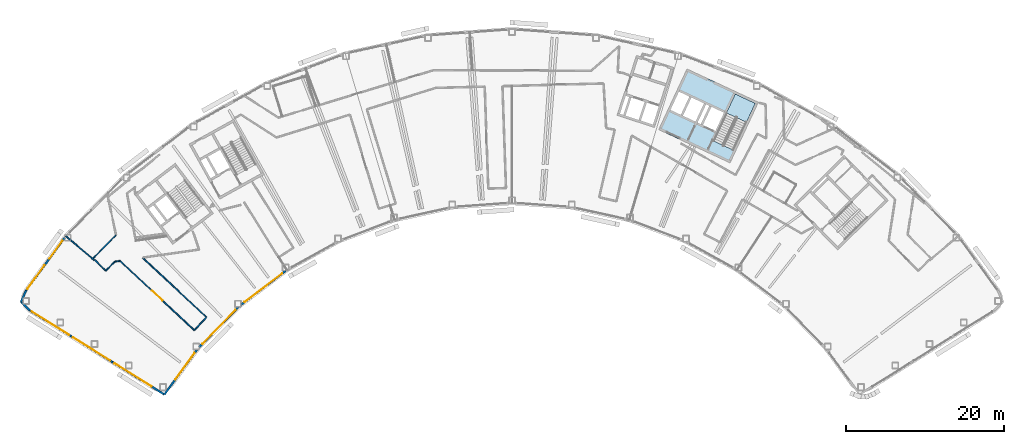
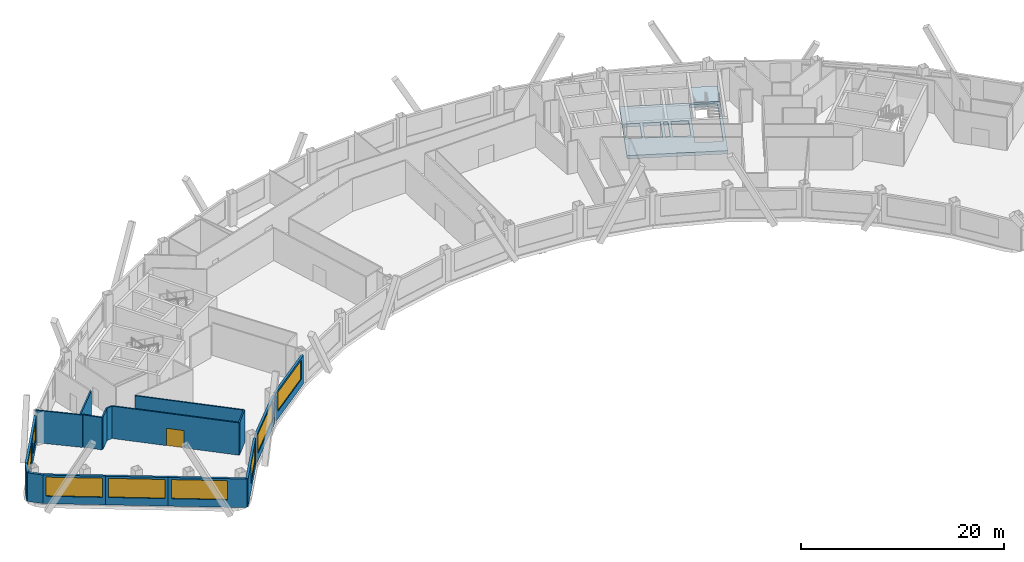
# One storey, part 4 of 13: 17 walls, 8 windows, 2 slabs, 1 door, 9 openings, 1 element without a shape of its own.
"""IFC4 building model written with IfcOpenShell, lengths in metres."""

from ifc_helpers import new_model, si_unit, direction, frame, frame_2d, origin, place, context, subcontext, project, spatial, polyline, rectangle, outline, extrude, material, layer, layer_set, type_object, element, fill, aggregate, save


model = new_model("IFC4")

# Units and contexts
model_context = context("Model", 3, precision=1e-05, world=origin(), true_north=direction((0.0, 1.0)))
body_context = subcontext(model_context, "Body", "Model", "MODEL_VIEW")
ifc_project = project(units=[si_unit("LENGTHUNIT", "METRE"), si_unit("AREAUNIT", "SQUARE_METRE"), si_unit("VOLUMEUNIT", "CUBIC_METRE"), si_unit("PLANEANGLEUNIT", "RADIAN"), si_unit("MASSUNIT", "GRAM", prefix="KILO")], contexts=[model_context])

# Site, building, storey
site_placement = place(None, origin())
site = spatial("IfcSite", under=ifc_project, at=site_placement, CompositionType="ELEMENT")
building_placement = place(site_placement, origin())
building = spatial("IfcBuilding", under=site, at=building_placement, Name="Tuul Gate Civic Tower", CompositionType="ELEMENT")
storey_placement = place(building_placement, frame((0.0, 0.0, 285.800048828125)))
storey = spatial("IfcBuildingStorey", under=building, at=storey_placement, Name="Level 64", CompositionType="ELEMENT", Elevation=285.800048828125)

# Slab
ifc_material_1 = material(Name="Concrete C40/50", Category="concrete")
ifc_layer_1 = layer(ifc_material_1, 0.39990234375)
ifc_layer_set_1 = layer_set([ifc_layer_1], Name="Concrete C40/50")
slab_type_1 = type_object("IfcSlabType", Name="Core floor slab 400", PredefinedType="FLOOR", material=ifc_layer_set_1)
slab_1_placement = place(storey_placement, frame((0.0, 0.0, -0.400146484375)))
element("IfcSlab", 1, at=slab_1_placement, inside=storey, type_object=slab_type_1, Name="FLOOR SLAB", PredefinedType="FLOOR", context=body_context, shape_type="SweptSolid", body=[
    extrude(outline(polyline([(34.465087890625, -7.385986328125), (38.056884765625, 0.31787109375), (28.993896484375, 4.543701171875), (25.40185546875, -3.159912109375), (34.465087890625, -7.385986328125)]), holes=[polyline([(32.60888671875, -3.32080078125), (33.6865234375, -1.009765625), (32.1005859375, -0.27001953125), (31.02294921875, -2.581298828125), (32.60888671875, -3.32080078125)]), polyline([(30.0712890625, -2.137451171875), (31.14892578125, 0.173583984375), (29.562744140625, 0.9130859375), (28.4853515625, -1.39794921875), (30.0712890625, -2.137451171875)]), polyline([(30.751220703125, -2.454345703125), (31.82861328125, -0.143310546875), (31.4208984375, 0.046875), (30.34326171875, -2.264404296875), (30.751220703125, -2.454345703125)]), polyline([(28.21337890625, -1.27099609375), (29.291015625, 1.0400390625), (27.8408203125, 1.71630859375), (26.76318359375, -0.594970703125), (28.21337890625, -1.27099609375)]), polyline([(34.889892578125, -5.7626953125), (32.353759765625, -4.580078125), (35.120849609375, 1.354736328125), (37.6572265625, 0.17236328125), (34.889892578125, -5.7626953125)])]), origin(), (0.0, 0.0, 1.0), 0.400146484375),
])

# Stair, slab
ifc_material_2 = material(Name="Concrete C40/50", Category="concrete")
stair_type = type_object("IfcStairType", Name="Exit stair", PredefinedType="HALF_TURN_STAIR", material=ifc_material_2)
stair_placement = place(storey_placement, origin())
stair = element("IfcStair", 2, at=stair_placement, inside=storey, type_object=stair_type, Name="Level 64 ST-4", PredefinedType="HALF_TURN_STAIR")
ifc_material_3 = material(Name="Concrete C40/50", Category="concrete")
ifc_layer_2 = layer(ifc_material_3, 0.199951171875)
ifc_layer_set_2 = layer_set([ifc_layer_2], Name="Concrete C40/50")
slab_type_2 = type_object("IfcSlabType", Name="Exit stair landing", PredefinedType="LANDING", material=ifc_layer_set_2)
slab_2_placement = place(storey_placement, frame((0.0, 0.0, 1.89990234375)))
slab_2 = element("IfcSlab", 3, at=slab_2_placement, type_object=slab_type_2, Name="ST-4 landing 1", PredefinedType="LANDING", context=body_context, shape_type="SweptSolid", body=[
    extrude(outline(polyline([(36.538818359375, -2.230224609375), (33.999755859375, -1.046142578125), (35.1201171875, 1.35693359375), (37.659423828125, 0.173095703125), (36.538818359375, -2.230224609375)])), origin(), (0.0, 0.0, 1.0), 0.199951171875),
])
aggregate(stair, [slab_2])

# Walls
ifc_material_4 = material(Name="Gypsum board partition")
ifc_layer_3 = layer(ifc_material_4, 0.14990234375)
ifc_layer_set_3 = layer_set([ifc_layer_3], Name="Gypsum board partition")
wall_type_1 = type_object("IfcWallType", Name="Corridor wall P150", PredefinedType="PARTITIONING", material=ifc_layer_set_3)
wall_1_placement = place(storey_placement, frame((-46.37109375, -19.499755859375, 0.0), z_axis=(0.0, 0.0, 1.0), x_axis=(0.700018298285, 0.714124906488, 0.0)))
element("IfcWall", 4, at=wall_1_placement, inside=storey, type_object=wall_type_1, Name="p040", PredefinedType="PARTITIONING", context=body_context, shape_type="SweptSolid", body=[
    extrude(rectangle(XDim=4.13623046875, YDim=0.14990234375, at=frame_2d((2.068115234375, 0.0))), origin(), (0.0, 0.0, 1.0), 3.89990234375),
])
wall_2_placement = place(storey_placement, frame((-46.169921875, -19.697998046875, 0.0), z_axis=(0.0, 0.0, 1.0), x_axis=(0.714144599539, -0.699998207819, 0.0)))
element("IfcWall", 5, at=wall_2_placement, inside=storey, type_object=wall_type_1, Name="p041", PredefinedType="PARTITIONING", context=body_context, shape_type="SweptSolid", body=[
    extrude(rectangle(XDim=1.967529296875, YDim=0.14990234375, at=frame_2d((0.98388671875, 0.0))), origin(), (0.0, 0.0, 1.0), 3.89990234375),
])
wall_3_placement = place(storey_placement, frame((-49.8369140625, -16.67041015625, 0.0), z_axis=(0.0, 0.0, 1.0), x_axis=(0.762898181232, -0.646518650213, 0.0)))
element("IfcWall", 6, at=wall_3_placement, inside=storey, type_object=wall_type_1, Name="p042", PredefinedType="PARTITIONING", context=body_context, shape_type="SweptSolid", body=[
    extrude(rectangle(XDim=4.7451171875, YDim=0.14990234375, at=frame_2d((2.37255859375, 0.0))), origin(), (0.0, 0.0, 1.0), 3.89990234375),
])
wall_4_placement = place(storey_placement, frame((-44.764892578125, -21.0751953125, 0.0), z_axis=(0.0, 0.0, 1.0), x_axis=(0.700230779036, 0.713916561014, 0.0)))
element("IfcWall", 7, at=wall_4_placement, inside=storey, type_object=wall_type_1, Name="p080", PredefinedType="PARTITIONING", context=body_context, shape_type="SweptSolid", body=[
    extrude(rectangle(XDim=1.623291015625, YDim=0.14990234375, at=frame_2d((0.8115234375, 0.0))), origin(), (0.0, 0.0, 1.0), 3.89990234375),
])
wall_5_placement = place(storey_placement, frame((-43.619873046875, -19.913330078125, 0.0), z_axis=(0.0, 0.0, 1.0), x_axis=(0.989830914815, 0.142248936993, 0.0)))
element("IfcWall", 8, at=wall_5_placement, inside=storey, type_object=wall_type_1, Name="p081", PredefinedType="PARTITIONING", context=body_context, shape_type="SweptSolid", body=[
    extrude(rectangle(XDim=0.660888671875, YDim=0.14990234375, at=frame_2d((0.33056640625, 0.0))), origin(), (0.0, 0.0, 1.0), 3.89990234375),
])

# Wall, opening, door
wall_6_placement = place(storey_placement, frame((-42.951416015625, -19.82275390625, 0.0), z_axis=(0.0, 0.0, 1.0), x_axis=(0.731375809492, -0.681974651501, 0.0)))
wall_6 = element("IfcWall", 9, at=wall_6_placement, inside=storey, type_object=wall_type_1, Name="p083", PredefinedType="PARTITIONING", context=body_context, shape_type="SweptSolid", body=[
    extrude(rectangle(XDim=12.888671875, YDim=0.14990234375, at=frame_2d((6.4443359375, 0.0))), origin(), (0.0, 0.0, 1.0), 3.89990234375),
])
opening_1_placement = place(wall_6_placement, frame((5.544189453125, 0.0, 0.0)))
opening_1 = element("IfcOpeningElement", 10, at=opening_1_placement, cuts=wall_6, Name="Opening X-D13", PredefinedType="OPENING", context=body_context, shape_type="SweptSolid", body=[
    extrude(rectangle(XDim=1.800048828125, YDim=2.10009765625, at=frame_2d((0.89990234375, 1.050048828125))), frame((0.0, 0.0849609375, 0.0), z_axis=(0.0, -1.0, 0.0), x_axis=(1.0, 0.0, 0.0)), (0.0, 0.0, 1.0), 0.169921875),
])
ifc_material_5 = material(Name="Timber door leaf, double", Category="wood")
door_type = type_object("IfcDoorType", Name="Door D18", OperationType="DOUBLE_DOOR_SINGLE_SWING", PredefinedType="DOOR", material=ifc_material_5)
door_placement = place(opening_1_placement, frame((1.800048828125, 0.0, 0.0), z_axis=(0.0, 0.0, 1.0), x_axis=(-1.0, 0.0, 0.0)))
door = element("IfcDoor", 11, at=door_placement, inside=storey, type_object=door_type, Name="Door X-D13", OperationType="DOUBLE_DOOR_SINGLE_SWING", OverallHeight=2.10009765625, OverallWidth=1.800048828125, PredefinedType="DOOR", context=body_context, shape_type="SweptSolid", body=[
    extrude(rectangle(XDim=1.800048828125, YDim=2.10009765625, at=frame_2d((0.900146484375, 1.050048828125))), frame((0.0, 0.02490234375, 0.0), z_axis=(0.0, -1.0, 0.0), x_axis=(1.0, 0.0, 0.0)), (0.0, 0.0, 1.0), 0.050048828125),
])
fill(opening_1, door)

# Walls
wall_7_placement = place(storey_placement, frame((-33.52490234375, -28.612548828125, 0.0), z_axis=(0.0, 0.0, 1.0), x_axis=(0.681989556474, 0.731361911, 0.0)))
element("IfcWall", 12, at=wall_7_placement, inside=storey, type_object=wall_type_1, Name="p084", PredefinedType="PARTITIONING", context=body_context, shape_type="SweptSolid", body=[
    extrude(rectangle(XDim=2.25, YDim=0.14990234375, at=frame_2d((1.125, 0.0))), origin(), (0.0, 0.0, 1.0), 3.89990234375),
])
wall_8_placement = place(storey_placement, frame((-40.066162109375, -19.436279296875, 0.0), z_axis=(0.0, 0.0, 1.0), x_axis=(0.731350768373, -0.68200150557, 0.0)))
element("IfcWall", 13, at=wall_8_placement, inside=storey, type_object=wall_type_1, Name="p085", PredefinedType="PARTITIONING", context=body_context, shape_type="SweptSolid", body=[
    extrude(rectangle(XDim=11.042236328125, YDim=0.14990234375, at=frame_2d((5.52099609375, 0.0))), origin(), (0.0, 0.0, 1.0), 3.89990234375),
])

# Wall, openings, windows
ifc_material_6 = material(Name="Precast concrete C40/50", Category="concrete")
ifc_layer_4 = layer(ifc_material_6, 0.25)
ifc_layer_set_4 = layer_set([ifc_layer_4], Name="Precast concrete C40/50")
wall_type_2 = type_object("IfcWallType", Name="External wall", PredefinedType="STANDARD", material=ifc_layer_set_4)
wall_9_placement = place(storey_placement, frame((-49.98388671875, -16.880615234375, 0.0), z_axis=(0.0, 0.0, 1.0), x_axis=(-0.589770614985, -0.807570815285, 0.0)))
wall_9 = element("IfcWall", 14, at=wall_9_placement, inside=storey, type_object=wall_type_2, Name="External wall", PredefinedType="STANDARD", context=body_context, shape_type="SweptSolid", body=[
    extrude(rectangle(XDim=8.337646484375, YDim=0.25, at=frame_2d((4.1689453125, 0.0))), origin(), (0.0, 0.0, 1.0), 3.449951171875),
])
opening_2_placement = place(wall_9_placement, frame((0.48486328125, 0.0, 0.89990234375)))
opening_2 = element("IfcOpeningElement", 15, at=opening_2_placement, cuts=wall_9, Name="Opening W23", PredefinedType="OPENING", context=body_context, shape_type="SweptSolid", body=[
    extrude(rectangle(XDim=2.800048828125, YDim=2.300048828125, at=frame_2d((1.39990234375, 1.14990234375))), frame((0.0, 0.135009765625, 0.0), z_axis=(0.0, -1.0, 0.0), x_axis=(1.0, 0.0, 0.0)), (0.0, 0.0, 1.0), 0.27001953125),
])
opening_3_placement = place(wall_9_placement, frame((4.33642578125, 0.0, 0.89990234375)))
opening_3 = element("IfcOpeningElement", 16, at=opening_3_placement, cuts=wall_9, Name="Opening W21", PredefinedType="OPENING", context=body_context, shape_type="SweptSolid", body=[
    extrude(rectangle(XDim=3.699951171875, YDim=2.300048828125, at=frame_2d((1.85009765625, 1.14990234375))), frame((0.0, 0.135009765625, 0.0), z_axis=(0.0, -1.0, 0.0), x_axis=(1.0, 0.0, 0.0)), (0.0, 0.0, 1.0), 0.27001953125),
])
ifc_material_7 = material(Name="Glass", Category="glass")
window_type_1 = type_object("IfcWindowType", Name="Window W21 3700 x 2300", PartitioningType="SINGLE_PANEL", PredefinedType="WINDOW", material=ifc_material_7)
window_1_placement = place(opening_3_placement, origin())
window_1 = element("IfcWindow", 17, at=window_1_placement, inside=storey, type_object=window_type_1, Name="Window", OverallHeight=2.300048828125, OverallWidth=3.699951171875, PartitioningType="SINGLE_PANEL", PredefinedType="WINDOW", context=body_context, shape_type="SweptSolid", body=[
    extrude(rectangle(XDim=3.699951171875, YDim=2.300048828125, at=frame_2d((1.85009765625, 1.14990234375))), frame((0.0, 0.030029296875, 0.0), z_axis=(0.0, -1.0, 0.0), x_axis=(1.0, 0.0, 0.0)), (0.0, 0.0, 1.0), 0.06005859375),
])
fill(opening_3, window_1)
ifc_material_8 = material(Name="Glass", Category="glass")
window_type_2 = type_object("IfcWindowType", Name="Window W23 2800 x 2300", PartitioningType="SINGLE_PANEL", PredefinedType="WINDOW", material=ifc_material_8)
window_2_placement = place(opening_2_placement, origin())
window_2 = element("IfcWindow", 18, at=window_2_placement, inside=storey, type_object=window_type_2, Name="Window", OverallHeight=2.300048828125, OverallWidth=2.800048828125, PartitioningType="SINGLE_PANEL", PredefinedType="WINDOW", context=body_context, shape_type="SweptSolid", body=[
    extrude(rectangle(XDim=2.800048828125, YDim=2.300048828125, at=frame_2d((1.39990234375, 1.14990234375))), frame((0.0, 0.030029296875, 0.0), z_axis=(0.0, -1.0, 0.0), x_axis=(1.0, 0.0, 0.0)), (0.0, 0.0, 1.0), 0.06005859375),
])
fill(opening_2, window_2)

# Walls
wall_10_placement = place(storey_placement, frame((-54.88818359375, -23.591796875, 0.0), z_axis=(0.0, 0.0, 1.0), x_axis=(-0.413556849361, -0.910478298669, 0.0)))
element("IfcWall", 19, at=wall_10_placement, inside=storey, type_object=wall_type_2, Name="External wall", PredefinedType="STANDARD", context=body_context, shape_type="SweptSolid", body=[
    extrude(rectangle(XDim=1.56982421875, YDim=0.25, at=frame_2d((0.784912109375, 0.0))), origin(), (0.0, 0.0, 1.0), 3.449951171875),
])
wall_11_placement = place(storey_placement, frame((-55.537353515625, -25.02099609375, 0.0), z_axis=(0.0, 0.0, 1.0), x_axis=(0.721623018899, -0.692286225917, 0.0)))
element("IfcWall", 20, at=wall_11_placement, inside=storey, type_object=wall_type_2, Name="External wall", PredefinedType="STANDARD", context=body_context, shape_type="SweptSolid", body=[
    extrude(rectangle(XDim=1.57275390625, YDim=0.25, at=frame_2d((0.786376953125, 0.0))), origin(), (0.0, 0.0, 1.0), 3.449951171875),
])

# Wall, opening, window
wall_12_placement = place(storey_placement, frame((-54.4228515625, -26.093994140625, 0.0), z_axis=(0.0, 0.0, 1.0), x_axis=(0.848053758074, -0.529910203164, 0.0)))
wall_12 = element("IfcWall", 21, at=wall_12_placement, inside=storey, type_object=wall_type_2, Name="External wall", PredefinedType="STANDARD", context=body_context, shape_type="SweptSolid", body=[
    extrude(rectangle(XDim=6.182861328125, YDim=0.25, at=frame_2d((3.09130859375, 0.0))), origin(), (0.0, 0.0, 1.0), 3.449951171875),
])
opening_4_placement = place(wall_12_placement, frame((0.31640625, 0.0, 0.89990234375)))
opening_4 = element("IfcOpeningElement", 22, at=opening_4_placement, cuts=wall_12, Name="Opening W24", PredefinedType="OPENING", context=body_context, shape_type="SweptSolid", body=[
    extrude(rectangle(XDim=5.550048828125, YDim=2.300048828125, at=frame_2d((2.77490234375, 1.14990234375))), frame((0.0, 0.135009765625, 0.0), z_axis=(0.0, -1.0, 0.0), x_axis=(1.0, 0.0, 0.0)), (0.0, 0.0, 1.0), 0.27001953125),
])
ifc_material_9 = material(Name="Glass", Category="glass")
window_type_3 = type_object("IfcWindowType", Name="Window W24 5550 x 2300", PartitioningType="SINGLE_PANEL", PredefinedType="WINDOW", material=ifc_material_9)
window_3_placement = place(opening_4_placement, origin())
window_3 = element("IfcWindow", 23, at=window_3_placement, inside=storey, type_object=window_type_3, Name="Window", OverallHeight=2.300048828125, OverallWidth=5.550048828125, PartitioningType="SINGLE_PANEL", PredefinedType="WINDOW", context=body_context, shape_type="SweptSolid", body=[
    extrude(rectangle(XDim=5.550048828125, YDim=2.300048828125, at=frame_2d((2.77490234375, 1.14990234375))), frame((0.0, 0.030029296875, 0.0), z_axis=(0.0, -1.0, 0.0), x_axis=(1.0, 0.0, 0.0)), (0.0, 0.0, 1.0), 0.06005859375),
])
fill(opening_4, window_3)

wall_13_placement = place(storey_placement, frame((-49.179443359375, -29.370361328125, 0.0), z_axis=(0.0, 0.0, 1.0), x_axis=(0.848053758074, -0.529910203164, 0.0)))
wall_13 = element("IfcWall", 24, at=wall_13_placement, inside=storey, type_object=wall_type_2, Name="External wall", PredefinedType="STANDARD", context=body_context, shape_type="SweptSolid", body=[
    extrude(rectangle(XDim=6.182861328125, YDim=0.25, at=frame_2d((3.09130859375, 0.0))), origin(), (0.0, 0.0, 1.0), 3.449951171875),
])
opening_5_placement = place(wall_13_placement, frame((0.31640625, 0.0, 0.89990234375)))
opening_5 = element("IfcOpeningElement", 25, at=opening_5_placement, cuts=wall_13, Name="Opening W24", PredefinedType="OPENING", context=body_context, shape_type="SweptSolid", body=[
    extrude(rectangle(XDim=5.550048828125, YDim=2.300048828125, at=frame_2d((2.77490234375, 1.14990234375))), frame((0.0, 0.135009765625, 0.0), z_axis=(0.0, -1.0, 0.0), x_axis=(1.0, 0.0, 0.0)), (0.0, 0.0, 1.0), 0.27001953125),
])
window_4_placement = place(opening_5_placement, origin())
window_4 = element("IfcWindow", 26, at=window_4_placement, inside=storey, type_object=window_type_3, Name="Window", OverallHeight=2.300048828125, OverallWidth=5.550048828125, PartitioningType="SINGLE_PANEL", PredefinedType="WINDOW", context=body_context, shape_type="SweptSolid", body=[
    extrude(rectangle(XDim=5.550048828125, YDim=2.300048828125, at=frame_2d((2.77490234375, 1.14990234375))), frame((0.0, 0.030029296875, 0.0), z_axis=(0.0, -1.0, 0.0), x_axis=(1.0, 0.0, 0.0)), (0.0, 0.0, 1.0), 0.06005859375),
])
fill(opening_5, window_4)

wall_14_placement = place(storey_placement, frame((-43.93603515625, -32.646728515625, 0.0), z_axis=(0.0, 0.0, 1.0), x_axis=(0.848051131154, -0.529914407191, 0.0)))
wall_14 = element("IfcWall", 27, at=wall_14_placement, inside=storey, type_object=wall_type_2, Name="External wall", PredefinedType="STANDARD", context=body_context, shape_type="SweptSolid", body=[
    extrude(rectangle(XDim=7.788330078125, YDim=0.25, at=frame_2d((3.89404296875, 0.0))), origin(), (0.0, 0.0, 1.0), 3.449951171875),
])
opening_6_placement = place(wall_14_placement, frame((0.31640625, 0.0, 0.89990234375)))
opening_6 = element("IfcOpeningElement", 28, at=opening_6_placement, cuts=wall_14, Name="Opening W24", PredefinedType="OPENING", context=body_context, shape_type="SweptSolid", body=[
    extrude(rectangle(XDim=5.550048828125, YDim=2.300048828125, at=frame_2d((2.77490234375, 1.14990234375))), frame((0.0, 0.135009765625, 0.0), z_axis=(0.0, -1.0, 0.0), x_axis=(1.0, 0.0, 0.0)), (0.0, 0.0, 1.0), 0.27001953125),
])
window_5_placement = place(opening_6_placement, origin())
window_5 = element("IfcWindow", 29, at=window_5_placement, inside=storey, type_object=window_type_3, Name="Window", OverallHeight=2.300048828125, OverallWidth=5.550048828125, PartitioningType="SINGLE_PANEL", PredefinedType="WINDOW", context=body_context, shape_type="SweptSolid", body=[
    extrude(rectangle(XDim=5.550048828125, YDim=2.300048828125, at=frame_2d((2.77490234375, 1.14990234375))), frame((0.0, 0.030029296875, 0.0), z_axis=(0.0, -1.0, 0.0), x_axis=(1.0, 0.0, 0.0)), (0.0, 0.0, 1.0), 0.06005859375),
])
fill(opening_6, window_5)

wall_15_placement = place(storey_placement, frame((-37.3310546875, -36.77392578125, 0.0), z_axis=(0.0, 0.0, 1.0), x_axis=(0.589738966527, 0.807593927267, 0.0)))
wall_15 = element("IfcWall", 30, at=wall_15_placement, inside=storey, type_object=wall_type_2, Name="External wall", PredefinedType="STANDARD", context=body_context, shape_type="SweptSolid", body=[
    extrude(rectangle(XDim=7.034423828125, YDim=0.25, at=frame_2d((3.51708984375, 0.0))), origin(), (0.0, 0.0, 1.0), 3.449951171875),
])
opening_7_placement = place(wall_15_placement, frame((2.356689453125, 0.0, 0.89990234375)))
opening_7 = element("IfcOpeningElement", 31, at=opening_7_placement, cuts=wall_15, Name="Opening W25", PredefinedType="OPENING", context=body_context, shape_type="SweptSolid", body=[
    extrude(rectangle(XDim=4.14990234375, YDim=2.300048828125, at=frame_2d((2.074951171875, 1.14990234375))), frame((0.0, 0.135009765625, 0.0), z_axis=(0.0, -1.0, 0.0), x_axis=(1.0, 0.0, 0.0)), (0.0, 0.0, 1.0), 0.27001953125),
])
ifc_material_10 = material(Name="Glass", Category="glass")
window_type_4 = type_object("IfcWindowType", Name="Window W25 4150 x 2300", PartitioningType="SINGLE_PANEL", PredefinedType="WINDOW", material=ifc_material_10)
window_6_placement = place(opening_7_placement, origin())
window_6 = element("IfcWindow", 32, at=window_6_placement, inside=storey, type_object=window_type_4, Name="Window", OverallHeight=2.300048828125, OverallWidth=4.14990234375, PartitioningType="SINGLE_PANEL", PredefinedType="WINDOW", context=body_context, shape_type="SweptSolid", body=[
    extrude(rectangle(XDim=4.14990234375, YDim=2.300048828125, at=frame_2d((2.074951171875, 1.14990234375))), frame((0.0, 0.030029296875, 0.0), z_axis=(0.0, -1.0, 0.0), x_axis=(1.0, 0.0, 0.0)), (0.0, 0.0, 1.0), 0.06005859375),
])
fill(opening_7, window_6)

wall_16_placement = place(storey_placement, frame((-32.89306640625, -30.749267578125, 0.0), z_axis=(0.0, 0.0, 1.0), x_axis=(0.700033997015, 0.714109517528, 0.0)))
wall_16 = element("IfcWall", 33, at=wall_16_placement, inside=storey, type_object=wall_type_2, Name="External wall", PredefinedType="STANDARD", context=body_context, shape_type="SweptSolid", body=[
    extrude(rectangle(XDim=7.111572265625, YDim=0.25, at=frame_2d((3.5556640625, 0.0))), origin(), (0.0, 0.0, 1.0), 3.449951171875),
])
opening_8_placement = place(wall_16_placement, frame((0.555908203125, 0.0, 0.89990234375)))
opening_8 = element("IfcOpeningElement", 34, at=opening_8_placement, cuts=wall_16, Name="Opening W26", PredefinedType="OPENING", context=body_context, shape_type="SweptSolid", body=[
    extrude(rectangle(XDim=6.0, YDim=2.300048828125, at=frame_2d((3.0, 1.14990234375))), frame((0.0, 0.135009765625, 0.0), z_axis=(0.0, -1.0, 0.0), x_axis=(1.0, 0.0, 0.0)), (0.0, 0.0, 1.0), 0.27001953125),
])
ifc_material_11 = material(Name="Glass", Category="glass")
window_type_5 = type_object("IfcWindowType", Name="Window W26 6000 x 2300", PartitioningType="SINGLE_PANEL", PredefinedType="WINDOW", material=ifc_material_11)
window_7_placement = place(opening_8_placement, origin())
window_7 = element("IfcWindow", 35, at=window_7_placement, inside=storey, type_object=window_type_5, Name="Window", OverallHeight=2.300048828125, OverallWidth=6.0, PartitioningType="SINGLE_PANEL", PredefinedType="WINDOW", context=body_context, shape_type="SweptSolid", body=[
    extrude(rectangle(XDim=6.0, YDim=2.300048828125, at=frame_2d((3.0, 1.14990234375))), frame((0.0, 0.030029296875, 0.0), z_axis=(0.0, -1.0, 0.0), x_axis=(1.0, 0.0, 0.0)), (0.0, 0.0, 1.0), 0.06005859375),
])
fill(opening_8, window_7)

wall_17_placement = place(storey_placement, frame((-27.5791015625, -25.3759765625, 0.0), z_axis=(0.0, 0.0, 1.0), x_axis=(0.795582375141, 0.605845429433, 0.0)))
wall_17 = element("IfcWall", 36, at=wall_17_placement, inside=storey, type_object=wall_type_2, Name="External wall", PredefinedType="STANDARD", context=body_context, shape_type="SweptSolid", body=[
    extrude(rectangle(XDim=7.10400390625, YDim=0.25, at=frame_2d((3.552001953125, 0.0))), origin(), (0.0, 0.0, 1.0), 3.449951171875),
])
opening_9_placement = place(wall_17_placement, frame((0.541259765625, 0.0, 0.89990234375)))
opening_9 = element("IfcOpeningElement", 37, at=opening_9_placement, cuts=wall_17, Name="Opening W26", PredefinedType="OPENING", context=body_context, shape_type="SweptSolid", body=[
    extrude(rectangle(XDim=6.0, YDim=2.300048828125, at=frame_2d((3.0, 1.14990234375))), frame((0.0, 0.135009765625, 0.0), z_axis=(0.0, -1.0, 0.0), x_axis=(1.0, 0.0, 0.0)), (0.0, 0.0, 1.0), 0.27001953125),
])
window_8_placement = place(opening_9_placement, origin())
window_8 = element("IfcWindow", 38, at=window_8_placement, inside=storey, type_object=window_type_5, Name="Window", OverallHeight=2.300048828125, OverallWidth=6.0, PartitioningType="SINGLE_PANEL", PredefinedType="WINDOW", context=body_context, shape_type="SweptSolid", body=[
    extrude(rectangle(XDim=6.0, YDim=2.300048828125, at=frame_2d((3.0, 1.14990234375))), frame((0.0, 0.030029296875, 0.0), z_axis=(0.0, -1.0, 0.0), x_axis=(1.0, 0.0, 0.0)), (0.0, 0.0, 1.0), 0.06005859375),
])
fill(opening_9, window_8)

save(model, "model.ifc")
